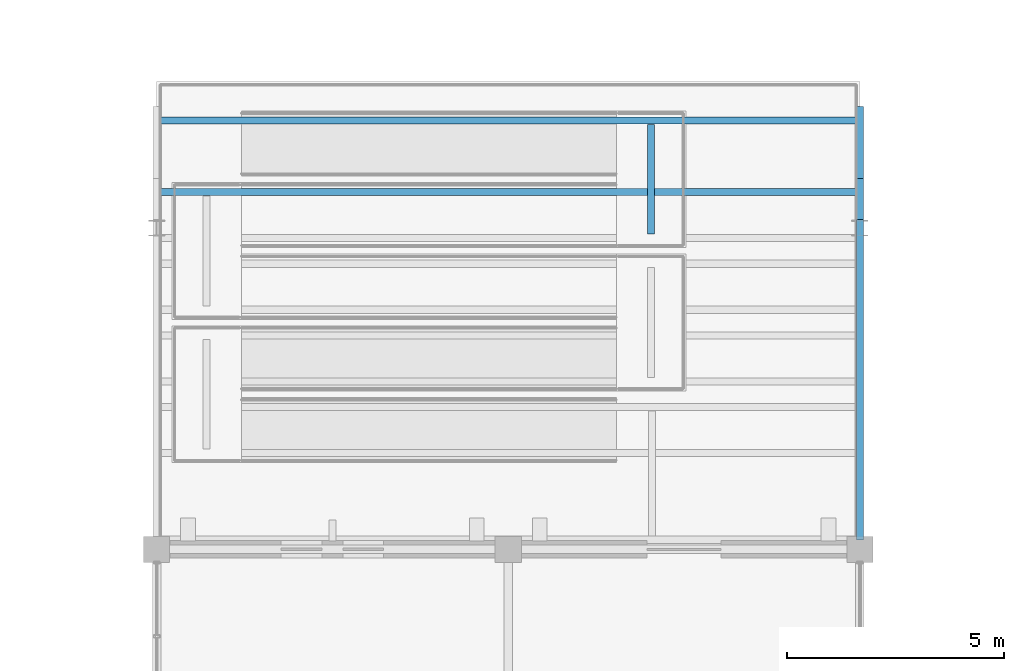
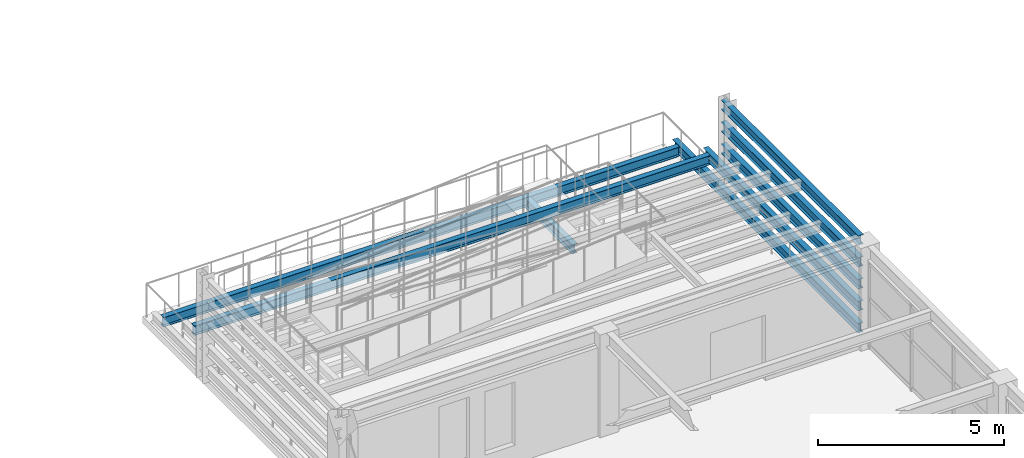
# One storey, part 57 of 121: 8 beams.
"""IFC4 building model written with IfcOpenShell, lengths in metres."""

from ifc_helpers import new_model, si_unit, direction, frame, origin, origin_2d, place, context, subcontext, project, spatial, i_section, extrude, material, material_profile, profile_set, type_object, element, save


model = new_model("IFC4")

# Units and contexts
model_context = context("Model", 3, precision=1e-05, world=origin(), true_north=direction((0.0, 1.0)))
body_context = subcontext(model_context, "Body", "Model", "MODEL_VIEW")
ifc_project = project(units=[si_unit("LENGTHUNIT", "METRE"), si_unit("AREAUNIT", "SQUARE_METRE"), si_unit("VOLUMEUNIT", "CUBIC_METRE"), si_unit("PLANEANGLEUNIT", "RADIAN"), si_unit("MASSUNIT", "GRAM", prefix="KILO")], contexts=[model_context])

# Site, building, storey
site_placement = place(None, origin())
site = spatial("IfcSite", under=ifc_project, at=site_placement, CompositionType="ELEMENT")
building_placement = place(site_placement, origin())
building = spatial("IfcBuilding", under=site, at=building_placement, Name="Cimatlan Art Gallery", CompositionType="ELEMENT")
storey_placement = place(building_placement, frame((0.0, 0.0, 10.199951171875)))
storey = spatial("IfcBuildingStorey", under=building, at=storey_placement, Name="L02", CompositionType="ELEMENT", Elevation=10.199951171875)

# Beams
ifc_material = material(Name="Steel ASTM A992 Grade 50", Category="steel")
ifc_material_profile = material_profile(ifc_material, i_section(OverallWidth=0.1650390625, OverallDepth=0.31005859375, WebThickness=0.005859375, FlangeThickness=0.009765625, at=origin_2d()), Name="W12X26")
ifc_profile_set = profile_set([ifc_material_profile], Name="Steel ASTM A992 Grade 50")
beam_type = type_object("IfcBeamType", Name="BM-STL-W12X26", PredefinedType="JOIST", material=ifc_profile_set)
beam_1_placement = place(storey_placement, frame((50.60009765625, 90.719970703125, 0.364990234375), z_axis=(0.0, 1.0, 0.0), x_axis=(-1.0, 0.0, 0.0)))
element("IfcBeam", 1, at=beam_1_placement, inside=storey, type_object=beam_type, Name="BM-RMP-TER-B2-L1-NSE", PredefinedType="JOIST", context=body_context, shape_type="SweptSolid", body=[
    extrude(i_section(OverallWidth=0.1650390625, OverallDepth=0.31005859375, WebThickness=0.005859375, FlangeThickness=0.009765625, at=origin_2d()), origin(), (0.0, 0.0, 1.0), 9.97998046875),
])
beam_2_placement = place(storey_placement, frame((34.489990234375, 100.3798828125, 0.364990234375), z_axis=(1.0, 0.0, 0.0), x_axis=(0.0, 1.0, 0.0)))
element("IfcBeam", 2, at=beam_2_placement, inside=storey, type_object=beam_type, Name="BM-RMP-TER-B2-L1-EW2", PredefinedType="JOIST", context=body_context, shape_type="SweptSolid", body=[
    extrude(i_section(OverallWidth=0.1650390625, OverallDepth=0.31005859375, WebThickness=0.005859375, FlangeThickness=0.009765625, at=origin_2d()), origin(), (0.0, 0.0, 1.0), 16.02001953125),
])
beam_3_placement = place(storey_placement, frame((45.7900390625, 97.760009765625, 0.364990234375), z_axis=(0.0, 1.0, 0.0), x_axis=(-1.0, 0.0, 0.0)))
element("IfcBeam", 3, at=beam_3_placement, inside=storey, type_object=beam_type, Name="BM-RMP-TER-B2-L1-X1", PredefinedType="JOIST", context=body_context, shape_type="SweptSolid", body=[
    extrude(i_section(OverallWidth=0.1650390625, OverallDepth=0.31005859375, WebThickness=0.005859375, FlangeThickness=0.009765625, at=origin_2d()), origin(), (0.0, 0.0, 1.0), 2.530029296875),
])
beam_4_placement = place(storey_placement, frame((50.60009765625, 90.719970703125, 1.0849609375), z_axis=(0.0, 1.0, 0.0), x_axis=(-1.0, 0.0, 0.0)))
element("IfcBeam", 4, at=beam_4_placement, inside=storey, type_object=beam_type, Name="BM-RMP-TER-B2-L2-NSE", PredefinedType="JOIST", context=body_context, shape_type="SweptSolid", body=[
    extrude(i_section(OverallWidth=0.1650390625, OverallDepth=0.31005859375, WebThickness=0.005859375, FlangeThickness=0.009765625, at=origin_2d()), origin(), (0.0, 0.0, 1.0), 8.330078125),
])
beam_5_placement = place(storey_placement, frame((34.489990234375, 98.72998046875, 1.0849609375), z_axis=(1.0, 0.0, 0.0), x_axis=(0.0, 1.0, 0.0)))
element("IfcBeam", 5, at=beam_5_placement, inside=storey, type_object=beam_type, Name="BM-RMP-TER-B2-L2-EW2", PredefinedType="JOIST", context=body_context, shape_type="SweptSolid", body=[
    extrude(i_section(OverallWidth=0.1650390625, OverallDepth=0.31005859375, WebThickness=0.005859375, FlangeThickness=0.009765625, at=origin_2d()), origin(), (0.0, 0.0, 1.0), 16.02001953125),
])
for number, where, z_axis, x_axis, name in (
    (6, (50.60009765625, 90.719970703125, 1.804931640625), (0.0, 1.0, 0.0), (-1.0, 0.0, 0.0), "BM-RMP-TER-B2-L3-NSE"),
    (7, (50.60009765625, 90.719970703125, 2.525146484375), (0.0, 1.0, 0.0), (-1.0, 0.0, 0.0), "BM-RMP-TER-B2-L4-NSE"),
    (8, (50.60009765625, 90.719970703125, 3.2451171875), (0.0, 1.0, 0.0), (-1.0, 0.0, 0.0), "BM-RMP-TER-B2-L5-NSE"),
):
    element("IfcBeam", number, at=place(storey_placement, frame(where, z_axis=z_axis, x_axis=x_axis)), inside=storey, type_object=beam_type, Name=name, PredefinedType="JOIST", context=body_context, shape_type="SweptSolid", body=[
        extrude(i_section(OverallWidth=0.1650390625, OverallDepth=0.31005859375, WebThickness=0.005859375, FlangeThickness=0.009765625, at=origin_2d()), origin(), (0.0, 0.0, 1.0), 7.380126953125),
    ])

save(model, "model.ifc")
